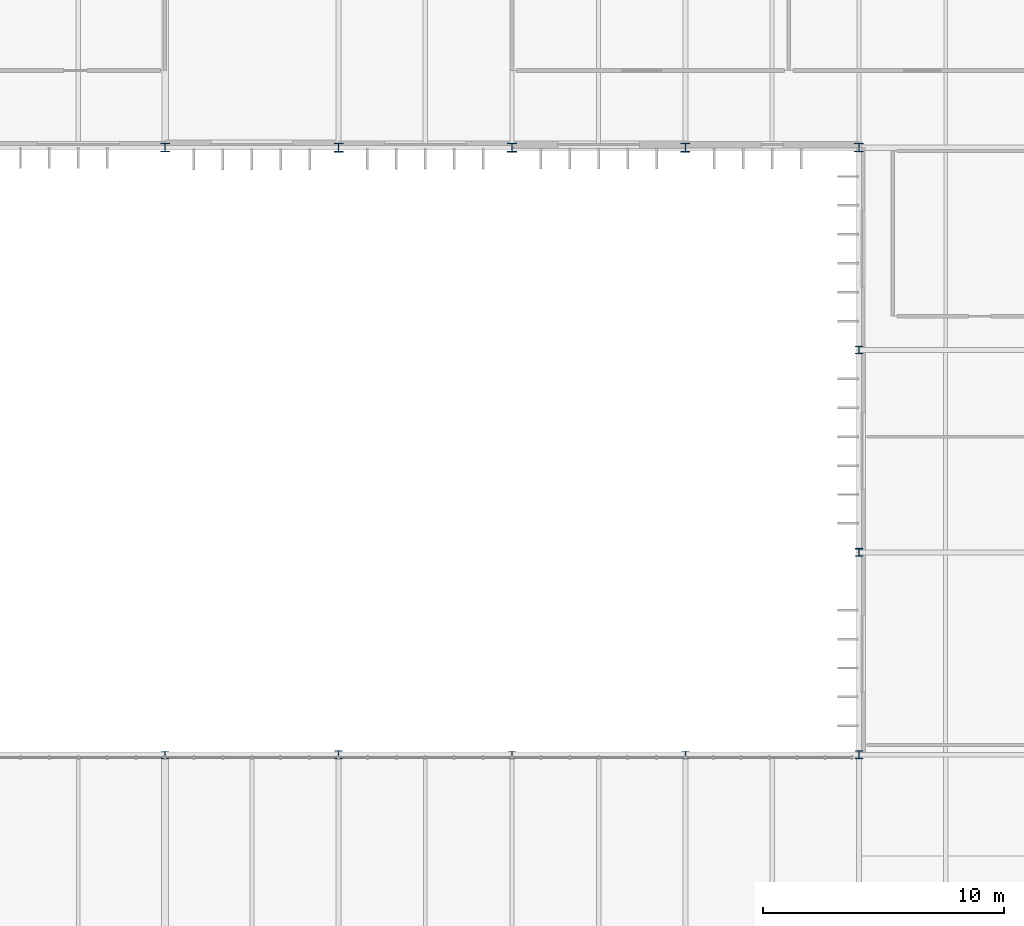
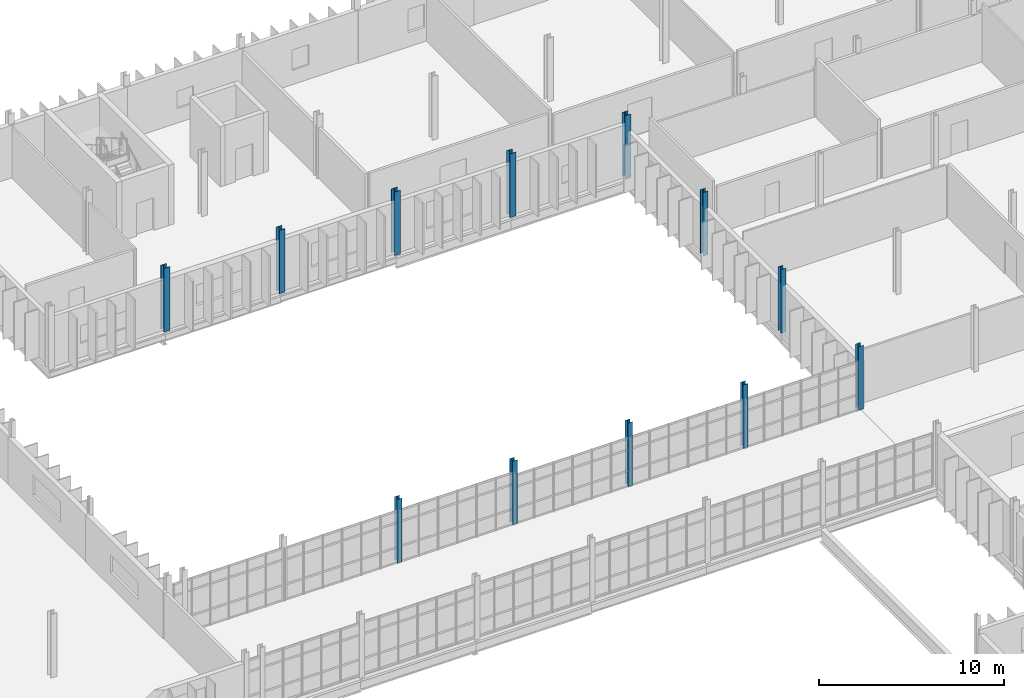
# One storey, part 17 of 119: 12 columns.
"""IFC4 building model written with IfcOpenShell, lengths in metres."""

from ifc_helpers import new_model, si_unit, direction, frame, origin, origin_2d, place, context, subcontext, project, spatial, i_section, extrude, material, material_profile, profile_set, type_object, element, save


model = new_model("IFC4")

# Units and contexts
model_context = context("Model", 3, precision=1e-05, world=origin(), true_north=direction((0.0, 1.0)))
body_context = subcontext(model_context, "Body", "Model", "MODEL_VIEW")
ifc_project = project(units=[si_unit("LENGTHUNIT", "METRE"), si_unit("AREAUNIT", "SQUARE_METRE"), si_unit("VOLUMEUNIT", "CUBIC_METRE"), si_unit("PLANEANGLEUNIT", "RADIAN"), si_unit("MASSUNIT", "GRAM", prefix="KILO")], contexts=[model_context])

# Site, building, storey
site_placement = place(None, origin())
site = spatial("IfcSite", under=ifc_project, at=site_placement, CompositionType="ELEMENT")
building_placement = place(site_placement, origin())
building = spatial("IfcBuilding", under=site, at=building_placement, Name="Qelthora Terrace Specialist Clinic", CompositionType="ELEMENT")
storey_placement = place(building_placement, frame((0.0, 0.0, 4.800048828125)))
storey = spatial("IfcBuildingStorey", under=building, at=storey_placement, Name="L01", CompositionType="ELEMENT", Elevation=4.800048828125)

# Columns
ifc_material = material(Name="Steel S355", Category="steel")
ifc_material_profile_1 = material_profile(ifc_material, i_section(OverallWidth=0.305908203125, OverallDepth=0.31103515625, WebThickness=0.010986328125, FlangeThickness=0.01708984375, FilletRadius=0.014892578125, at=origin_2d()), Name="W310X107")
ifc_profile_set_1 = profile_set([ifc_material_profile_1], Name="Steel S355")
column_type_1 = type_object("IfcColumnType", Name="COL-W310X107", PredefinedType="COLUMN", material=ifc_profile_set_1)
column_1_placement = place(storey_placement, frame((64.800048828125, 67.199951171875, 0.0), z_axis=(0.0, 0.0, 1.0), x_axis=(1.0, 0.0, 0.0)))
element("IfcColumn", 1, at=column_1_placement, inside=storey, type_object=column_type_1, Name="Column L01-118", PredefinedType="COLUMN", context=body_context, shape_type="SweptSolid", body=[
    extrude(i_section(OverallWidth=0.305908203125, OverallDepth=0.31103515625, WebThickness=0.010986328125, FlangeThickness=0.01708984375, FilletRadius=0.014892578125, at=origin_2d()), origin(), (0.0, 0.0, 1.0), 4.199951171875),
])
ifc_material_profile_2 = material_profile(ifc_material, i_section(OverallWidth=0.306884765625, OverallDepth=0.31396484375, WebThickness=0.011962890625, FlangeThickness=0.018798828125, FilletRadius=0.01611328125, at=origin_2d()), Name="W310X118")
ifc_profile_set_2 = profile_set([ifc_material_profile_2], Name="Steel S355")
column_type_2 = type_object("IfcColumnType", Name="COL-W310X118", PredefinedType="COLUMN", material=ifc_profile_set_2)
column_2_placement = place(storey_placement, frame((72.0, 67.199951171875, 0.0), z_axis=(0.0, 0.0, 1.0), x_axis=(1.0, 0.0, 0.0)))
element("IfcColumn", 2, at=column_2_placement, inside=storey, type_object=column_type_2, Name="Column L01-126", PredefinedType="COLUMN", context=body_context, shape_type="SweptSolid", body=[
    extrude(i_section(OverallWidth=0.306884765625, OverallDepth=0.31396484375, WebThickness=0.011962890625, FlangeThickness=0.018798828125, FilletRadius=0.01611328125, at=origin_2d()), origin(), (0.0, 0.0, 1.0), 4.199951171875),
])
ifc_material_profile_3 = material_profile(ifc_material, i_section(OverallWidth=0.30810546875, OverallDepth=0.318115234375, WebThickness=0.01318359375, FlangeThickness=0.0205078125, FilletRadius=0.01611328125, at=origin_2d()), Name="W310X129")
ifc_profile_set_3 = profile_set([ifc_material_profile_3], Name="Steel S355")
column_type_3 = type_object("IfcColumnType", Name="COL-W310X129", PredefinedType="COLUMN", material=ifc_profile_set_3)
for number, where, z_axis, x_axis, name in (
    (3, (93.60009765625, 67.199951171875, 0.0), (0.0, 0.0, 1.0), (1.0, 0.0, 0.0), "Column L01-155"),
    (4, (93.60009765625, 84.0, 0.0), (0.0, 0.0, 1.0), (1.0, 0.0, 0.0), "Column L01-157"),
):
    element("IfcColumn", number, at=place(storey_placement, frame(where, z_axis=z_axis, x_axis=x_axis)), inside=storey, type_object=column_type_3, Name=name, PredefinedType="COLUMN", context=body_context, shape_type="SweptSolid", body=[
        extrude(i_section(OverallWidth=0.30810546875, OverallDepth=0.318115234375, WebThickness=0.01318359375, FlangeThickness=0.0205078125, FilletRadius=0.01611328125, at=origin_2d()), origin(), (0.0, 0.0, 1.0), 4.199951171875),
    ])
ifc_material_profile_4 = material_profile(ifc_material, i_section(OverallWidth=0.30908203125, OverallDepth=0.322998046875, WebThickness=0.013916015625, FlangeThickness=0.02294921875, FilletRadius=0.01611328125, at=origin_2d()), Name="W310X143")
ifc_profile_set_4 = profile_set([ifc_material_profile_4], Name="Steel S355")
column_type_4 = type_object("IfcColumnType", Name="COL-W310X143", PredefinedType="COLUMN", material=ifc_profile_set_4)
column_3_placement = place(storey_placement, frame((93.60009765625, 75.60009765625, 0.0), z_axis=(0.0, 0.0, 1.0), x_axis=(1.0, 0.0, 0.0)))
element("IfcColumn", 5, at=column_3_placement, inside=storey, type_object=column_type_4, Name="Column L01-156", PredefinedType="COLUMN", context=body_context, shape_type="SweptSolid", body=[
    extrude(i_section(OverallWidth=0.30908203125, OverallDepth=0.322998046875, WebThickness=0.013916015625, FlangeThickness=0.02294921875, FilletRadius=0.01611328125, at=origin_2d()), origin(), (0.0, 0.0, 1.0), 4.199951171875),
])
ifc_material_profile_5 = material_profile(ifc_material, i_section(OverallWidth=0.304931640625, OverallDepth=0.30810546875, WebThickness=0.010009765625, FlangeThickness=0.015380859375, FilletRadius=0.014892578125, at=origin_2d()), Name="W310X97")
ifc_profile_set_5 = profile_set([ifc_material_profile_5], Name="Steel S355")
column_type_5 = type_object("IfcColumnType", Name="COL-W310X97", PredefinedType="COLUMN", material=ifc_profile_set_5)
for number, where, z_axis, x_axis, name in (
    (6, (79.199951171875, 67.199951171875, 0.0), (0.0, 0.0, 1.0), (1.0, 0.0, 0.0), "Column L01-134"),
    (7, (86.39990234375, 67.199951171875, 0.0), (0.0, 0.0, 1.0), (1.0, 0.0, 0.0), "Column L01-143"),
):
    element("IfcColumn", number, at=place(storey_placement, frame(where, z_axis=z_axis, x_axis=x_axis)), inside=storey, type_object=column_type_5, Name=name, PredefinedType="COLUMN", context=body_context, shape_type="SweptSolid", body=[
        extrude(i_section(OverallWidth=0.304931640625, OverallDepth=0.30810546875, WebThickness=0.010009765625, FlangeThickness=0.015380859375, FilletRadius=0.014892578125, at=origin_2d()), origin(), (0.0, 0.0, 1.0), 4.199951171875),
    ])
ifc_material_profile_6 = material_profile(ifc_material, i_section(OverallWidth=0.37109375, OverallDepth=0.364013671875, WebThickness=0.01318359375, FlangeThickness=0.021728515625, FilletRadius=0.02001953125, at=origin_2d()), Name="W360X162")
ifc_profile_set_6 = profile_set([ifc_material_profile_6], Name="Steel S355")
column_type_6 = type_object("IfcColumnType", Name="COL-W360X162", PredefinedType="COLUMN", material=ifc_profile_set_6)
for number, where, z_axis, x_axis, name in (
    (8, (64.800048828125, 92.39990234375, 0.0), (0.0, 0.0, 1.0), (1.0, 0.0, 0.0), "Column L01-119"),
    (9, (93.60009765625, 92.39990234375, 0.0), (0.0, 0.0, 1.0), (1.0, 0.0, 0.0), "Column L01-158"),
):
    element("IfcColumn", number, at=place(storey_placement, frame(where, z_axis=z_axis, x_axis=x_axis)), inside=storey, type_object=column_type_6, Name=name, PredefinedType="COLUMN", context=body_context, shape_type="SweptSolid", body=[
        extrude(i_section(OverallWidth=0.37109375, OverallDepth=0.364013671875, WebThickness=0.01318359375, FlangeThickness=0.021728515625, FilletRadius=0.02001953125, at=origin_2d()), origin(), (0.0, 0.0, 1.0), 4.199951171875),
    ])
ifc_material_profile_7 = material_profile(ifc_material, i_section(OverallWidth=0.373046875, OverallDepth=0.367919921875, WebThickness=0.014892578125, FlangeThickness=0.02392578125, FilletRadius=0.02001953125, at=origin_2d()), Name="W360X179")
ifc_profile_set_7 = profile_set([ifc_material_profile_7], Name="Steel S355")
column_type_7 = type_object("IfcColumnType", Name="COL-W360X179", PredefinedType="COLUMN", material=ifc_profile_set_7)
column_4_placement = place(storey_placement, frame((72.0, 92.39990234375, 0.0), z_axis=(0.0, 0.0, 1.0), x_axis=(1.0, 0.0, 0.0)))
element("IfcColumn", 10, at=column_4_placement, inside=storey, type_object=column_type_7, Name="Column L01-127", PredefinedType="COLUMN", context=body_context, shape_type="SweptSolid", body=[
    extrude(i_section(OverallWidth=0.373046875, OverallDepth=0.367919921875, WebThickness=0.014892578125, FlangeThickness=0.02392578125, FilletRadius=0.02001953125, at=origin_2d()), origin(), (0.0, 0.0, 1.0), 4.199951171875),
])
ifc_material_profile_8 = material_profile(ifc_material, i_section(OverallWidth=0.3740234375, OverallDepth=0.3720703125, WebThickness=0.016357421875, FlangeThickness=0.026123046875, FilletRadius=0.02001953125, at=origin_2d()), Name="W360X196")
ifc_profile_set_8 = profile_set([ifc_material_profile_8], Name="Steel S355")
column_type_8 = type_object("IfcColumnType", Name="COL-W360X196", PredefinedType="COLUMN", material=ifc_profile_set_8)
for number, where, z_axis, x_axis, name in (
    (11, (79.199951171875, 92.39990234375, 0.0), (0.0, 0.0, 1.0), (1.0, 0.0, 0.0), "Column L01-135"),
    (12, (86.39990234375, 92.39990234375, 0.0), (0.0, 0.0, 1.0), (1.0, 0.0, 0.0), "Column L01-144"),
):
    element("IfcColumn", number, at=place(storey_placement, frame(where, z_axis=z_axis, x_axis=x_axis)), inside=storey, type_object=column_type_8, Name=name, PredefinedType="COLUMN", context=body_context, shape_type="SweptSolid", body=[
        extrude(i_section(OverallWidth=0.3740234375, OverallDepth=0.3720703125, WebThickness=0.016357421875, FlangeThickness=0.026123046875, FilletRadius=0.02001953125, at=origin_2d()), origin(), (0.0, 0.0, 1.0), 4.199951171875),
    ])

save(model, "model.ifc")
